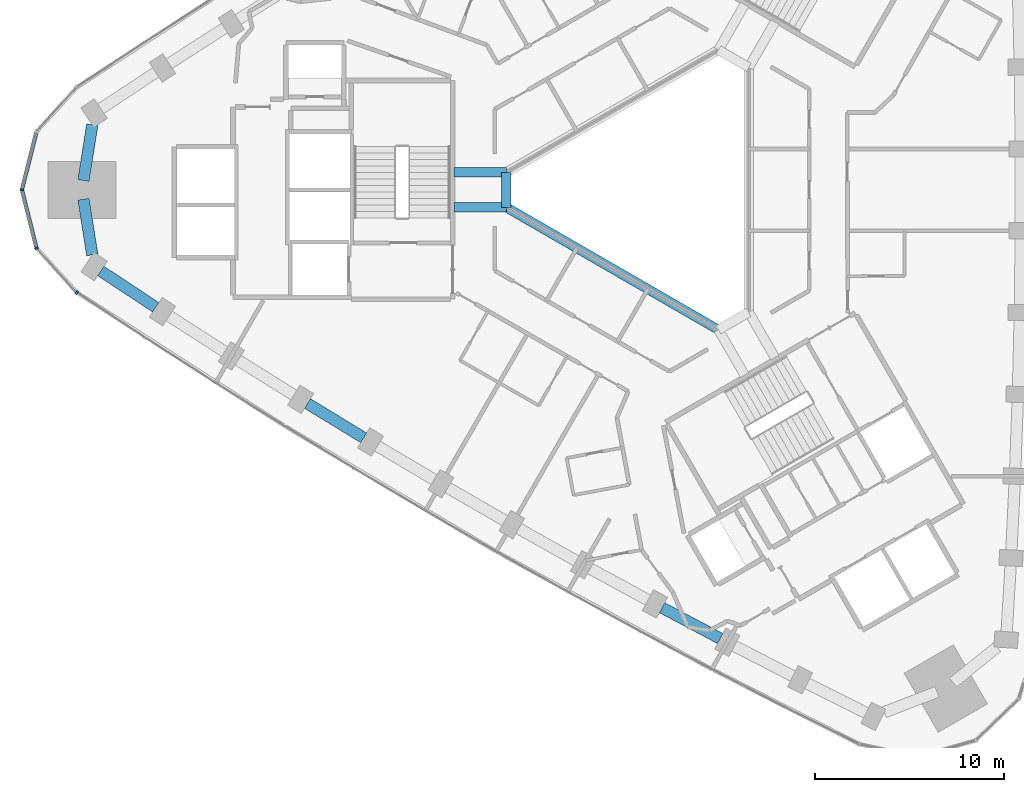
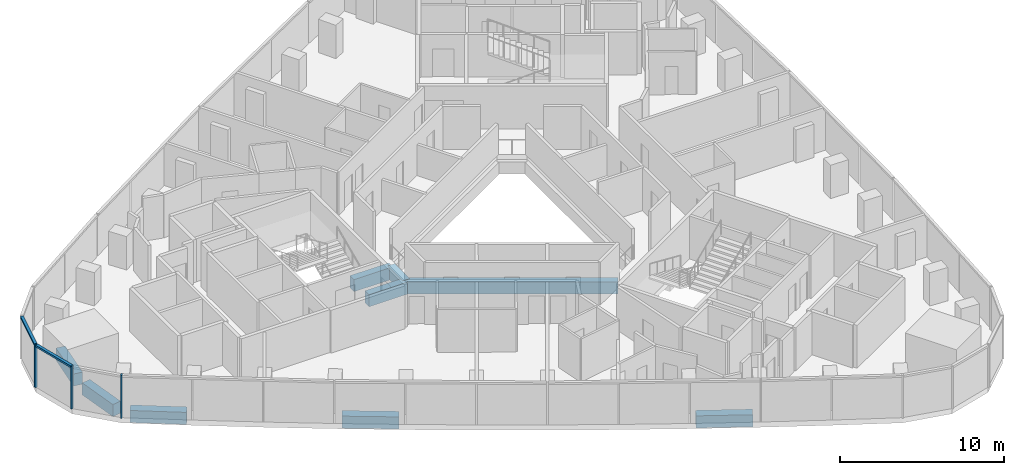
# One storey, part 2 of 13: 9 beams, 5 members, 2 elements without a shape of their own.
"""IFC4 building model written with IfcOpenShell, lengths in metres."""

import ifcopenshell
import ifcopenshell.guid

model = None  # the IFC model being written
_history = None  # IfcOwnerHistory: only IFC2X3 demands one
_inside = {}  # id of a spatial element -> (the spatial element, [elements in it])
_under = {}  # id of a project, library or spatial element -> (it, [spatial elements below it])
_declared = {}  # id of a project -> (the project, [libraries it declares])
_typed = {}  # id of a type object -> (the type object, [elements of that type])
_made_of = {}  # id of a material, layer set ... -> (it, [elements and type objects made of it])


def new_model(schema):
    """Start an empty IFC model of exactly this schema.

    Asked for "IFC4X3", IfcOpenShell would pick the latest addendum, in which some entities
    have other attributes; the version numbers below select the first issue.
    IFC2X3 requires an IfcOwnerHistory on every rooted entity: one is made here for all.
    """
    global model, _history
    if schema == "IFC4X3":
        model = ifcopenshell.file(schema_version=(4, 3, 0, 0))
    else:
        model = ifcopenshell.file(schema=schema)
    _inside.clear()
    _under.clear()
    _declared.clear()
    _typed.clear()
    _made_of.clear()
    _history = None
    if model.schema == "IFC2X3":
        org = make("IfcOrganization", Name="unknown")
        user = make(
            "IfcPersonAndOrganization",
            ThePerson=make("IfcPerson", FamilyName="unknown"),
            TheOrganization=org,
        )
        app = make(
            "IfcApplication",
            ApplicationDeveloper=org,
            Version="unknown",
            ApplicationFullName="unknown",
            ApplicationIdentifier="unknown",
        )
        _history = make(
            "IfcOwnerHistory",
            OwningUser=user,
            OwningApplication=app,
            ChangeAction="ADDED",
            CreationDate=0,
        )
    return model


def make(cls, **values):
    """One entity of the class cls with the attributes given. An attribute that is None is left unset."""
    return model.create_entity(
        cls, **{name: value for name, value in values.items() if value is not None}
    )


def rooted(cls, **values):
    """An entity with a GlobalId (a new one), such as an element, a storey or a relation."""
    return make(cls, GlobalId=ifcopenshell.guid.new(), OwnerHistory=_history, **values)


def si_unit(unit_type, name, prefix=None):
    """IfcSIUnit, for example si_unit("LENGTHUNIT", "METRE", prefix="MILLI")."""
    return make("IfcSIUnit", UnitType=unit_type, Prefix=prefix, Name=name)


def assignment(units):
    """IfcUnitAssignment: the units of a project."""
    return None if units is None else make("IfcUnitAssignment", Units=units)


def point(xyz):
    """IfcCartesianPoint."""
    return None if xyz is None else make("IfcCartesianPoint", Coordinates=xyz)


def direction(xyz):
    """IfcDirection."""
    return None if xyz is None else make("IfcDirection", DirectionRatios=xyz)


def frame(location, z_axis=None, x_axis=None):
    """IfcAxis2Placement3D, a coordinate frame: its origin and axes. An axis left out is left unset."""
    return make(
        "IfcAxis2Placement3D",
        Location=point(location),
        Axis=direction(z_axis),
        RefDirection=direction(x_axis),
    )


def frame_2d(location, x_axis=None):
    """IfcAxis2Placement2D, a coordinate frame in the plane: its origin and x axis."""
    return make(
        "IfcAxis2Placement2D", Location=point(location), RefDirection=direction(x_axis)
    )


def origin():
    """The frame at (0, 0, 0) with its axes left unset."""
    return frame((0.0, 0.0, 0.0))


def origin_2d():
    """The frame at (0, 0) in the plane with its x axis left unset."""
    return frame_2d((0.0, 0.0))


def place(relative_to, where):
    """IfcLocalPlacement: puts the frame where relative to a parent placement (None: the world)."""
    return make(
        "IfcLocalPlacement", PlacementRelTo=relative_to, RelativePlacement=where
    )


def context(
    kind, dimensions, precision=None, world=None, true_north=None, identifier=None
):
    """IfcGeometricRepresentationContext, for example the 3D "Model" context."""
    return make(
        "IfcGeometricRepresentationContext",
        ContextIdentifier=identifier,
        ContextType=kind,
        CoordinateSpaceDimension=dimensions,
        Precision=precision,
        WorldCoordinateSystem=world,
        TrueNorth=true_north,
    )


def subcontext(parent, identifier, kind, view, scale=None):
    """IfcGeometricRepresentationSubContext, for example "Body" below "Model"."""
    return make(
        "IfcGeometricRepresentationSubContext",
        ContextIdentifier=identifier,
        ContextType=kind,
        ParentContext=parent,
        TargetScale=scale,
        TargetView=view,
    )


def project(units=None, contexts=None):
    """IfcProject with its units and contexts."""
    return rooted(
        "IfcProject",
        Name="project",
        RepresentationContexts=contexts,
        UnitsInContext=assignment(units),
    )


def spatial(cls, under=None, at=None, **own):
    """A site, building, storey or space (cls), placed at a placement, below another one or the project."""
    s = rooted(cls, ObjectPlacement=at, **own)
    if under is not None:
        _under.setdefault(under.id(), (under, []))[1].append(s)
    return s


def profile(cls, at=None, kind="AREA", **sizes):
    """A parametric profile (cls). Its sizes go by their IFC names, for example OverallWidth=200.0."""
    return make(cls, ProfileType=kind, Position=at, **sizes)


def rectangle(**sizes):
    """IfcRectangleProfileDef."""
    return profile("IfcRectangleProfileDef", **sizes)


def extrude(swept, where, along, depth):
    """IfcExtrudedAreaSolid: the profile swept, set in the frame where, extruded along a direction by depth."""
    return make(
        "IfcExtrudedAreaSolid",
        SweptArea=swept,
        Position=where,
        ExtrudedDirection=direction(along),
        Depth=depth,
    )


def shape(context_of_items, identifier, shape_type, items):
    """IfcShapeRepresentation: the items that make up one representation, for example the "Body"."""
    return make(
        "IfcShapeRepresentation",
        ContextOfItems=context_of_items,
        RepresentationIdentifier=identifier,
        RepresentationType=shape_type,
        Items=items,
    )


def material(Name=None, Category=None):
    """IfcMaterial."""
    return make("IfcMaterial", Name=Name, Category=Category)


def material_profile(
    of_material, cross_section, Name=None, Category=None, Priority=None
):
    """IfcMaterialProfile: a cross section and its material."""
    return make(
        "IfcMaterialProfile",
        Name=Name,
        Material=of_material,
        Profile=cross_section,
        Priority=Priority,
        Category=Category,
    )


def profile_set(profiles, Name=None, composite=None):
    """IfcMaterialProfileSet."""
    return make(
        "IfcMaterialProfileSet",
        Name=Name,
        MaterialProfiles=profiles,
        CompositeProfile=composite,
    )


def made_of(thing, what):
    """Note that an element or type object is made of a material, layer set ...; save() writes the relation."""
    if what is not None:
        _made_of.setdefault(what.id(), (what, []))[1].append(thing)
    return thing


def type_object(cls, material=None, **own):
    """A type object (cls), such as IfcWallType, which elements share."""
    return made_of(rooted(cls, **own), material)


def element(
    cls,
    number,
    at=None,
    inside=None,
    cuts=None,
    type_object=None,
    material=None,
    context=None,
    identifier="Body",
    shape_type=None,
    held_by="IfcProductDefinitionShape",
    body=None,
    shapes=None,
    **own,
):
    """One element of the class cls, such as IfcWall. Its Tag is "e" and its number.

    at: its placement. inside: the storey or other place that contains it. cuts: it is an
    opening in that element (IfcRelVoidsElement). A single representation is given by context,
    identifier, shape_type and body (its items); several are given by shapes. held_by: the class
    of the entity that holds the representations. save() writes the other relations.
    """
    e = rooted(cls, Tag="e%d" % number, ObjectPlacement=at, **own)
    if body is not None:
        shapes = [shape(context, identifier, shape_type, body)]
    if shapes is not None:
        e.Representation = make(held_by, Representations=shapes)
    if inside is not None:
        _inside.setdefault(inside.id(), (inside, []))[1].append(e)
    if cuts is not None:
        rooted(
            "IfcRelVoidsElement", RelatingBuildingElement=cuts, RelatedOpeningElement=e
        )
    if type_object is not None:
        _typed.setdefault(type_object.id(), (type_object, []))[1].append(e)
    return made_of(e, material)


def aggregate(whole, parts):
    """IfcRelAggregates: a whole, such as a stair, and the parts it consists of."""
    return rooted("IfcRelAggregates", RelatingObject=whole, RelatedObjects=parts)


def save(model, path):
    """Write the relations noted so far, then the file.

    IfcRelAggregates (storeys below a building ...), IfcRelContainedInSpatialStructure (elements
    in a storey), IfcRelDefinesByType, IfcRelAssociatesMaterial and IfcRelDeclares: one each for
    every whole, place, type object, material and project.
    """
    for whole, parts in _under.values():
        aggregate(whole, parts)
    for where, things in _inside.values():
        rooted(
            "IfcRelContainedInSpatialStructure",
            RelatedElements=things,
            RelatingStructure=where,
        )
    for kind, things in _typed.values():
        rooted("IfcRelDefinesByType", RelatedObjects=things, RelatingType=kind)
    for what, things in _made_of.values():
        rooted("IfcRelAssociatesMaterial", RelatedObjects=things, RelatingMaterial=what)
    for by, libraries in _declared.values():
        rooted("IfcRelDeclares", RelatingContext=by, RelatedDefinitions=libraries)
    model.write(path)


model = new_model("IFC4")

# Units and contexts
model_context = context("Model", 3, precision=1e-05, world=origin(), true_north=direction((0.0, 1.0)))
body_context = subcontext(model_context, "Body", "Model", "MODEL_VIEW")
ifc_project = project(units=[si_unit("LENGTHUNIT", "METRE"), si_unit("AREAUNIT", "SQUARE_METRE"), si_unit("VOLUMEUNIT", "CUBIC_METRE"), si_unit("PLANEANGLEUNIT", "RADIAN"), si_unit("MASSUNIT", "GRAM", prefix="KILO")], contexts=[model_context])

# Site, building, storey
site_placement = place(None, origin())
site = spatial("IfcSite", under=ifc_project, at=site_placement, CompositionType="ELEMENT")
building_placement = place(site_placement, origin())
building = spatial("IfcBuilding", under=site, at=building_placement, Name="Tamra Quay Hotel Tower", CompositionType="ELEMENT")
storey_placement = place(building_placement, frame((0.0, 0.0, 161.199951171875)))
storey = spatial("IfcBuildingStorey", under=building, at=storey_placement, Name="L40", CompositionType="ELEMENT", Elevation=161.199951171875)

# Beams
ifc_material_1 = material(Name="Concrete M60", Category="concrete")
ifc_material_profile_1 = material_profile(ifc_material_1, rectangle(XDim=0.5, YDim=0.89990234375, at=origin_2d()), Name="ATRIUM EDGE BEAM RC 500x900")
ifc_profile_set_1 = profile_set([ifc_material_profile_1], Name="Concrete M60")
beam_type_1 = type_object("IfcBeamType", Name="ATRIUM EDGE BEAM RC 500x900", PredefinedType="BEAM", material=ifc_profile_set_1)
beam_1_placement = place(storey_placement, frame((3.199951171875, -7.39013671875, -0.849853515625), z_axis=(-0.866024942741, 0.500000798549, 0.0), x_axis=(-0.500000798549, -0.866024942741, 0.0)))
element("IfcBeam", 1, at=beam_1_placement, inside=storey, type_object=beam_type_1, Name="BM-AB2-L40", PredefinedType="BEAM", context=body_context, shape_type="SweptSolid", body=[
    extrude(rectangle(XDim=0.5, YDim=0.89990234375, at=origin_2d()), origin(), (0.0, 0.0, 1.0), 12.9326171875),
])
beam_2_placement = place(storey_placement, frame((-8.0, -0.923828125, -0.849853515625), z_axis=(0.0, 1.0, 0.0), x_axis=(-1.0, 0.0, 0.0)))
element("IfcBeam", 2, at=beam_2_placement, inside=storey, type_object=beam_type_1, Name="BM-AB3-L40", PredefinedType="BEAM", context=body_context, shape_type="SweptSolid", body=[
    extrude(rectangle(XDim=0.5, YDim=0.89990234375, at=origin_2d()), origin(), (0.0, 0.0, 1.0), 1.84765625),
])
ifc_material_profile_2 = material_profile(ifc_material_1, rectangle(XDim=0.5, YDim=0.89990234375, at=origin_2d()), Name="ATRIUM TIE BEAM RC 500x900")
ifc_profile_set_2 = profile_set([ifc_material_profile_2], Name="Concrete M60")
beam_type_2 = type_object("IfcBeamType", Name="ATRIUM TIE BEAM RC 500x900", PredefinedType="BEAM", material=ifc_profile_set_2)
for number, where, z_axis, x_axis, name in (
    (3, (-8.0, -0.923828125, -0.849853515625), (-1.0, 0.0, 0.0), (0.0, -1.0, 0.0), "BM-TIE-3-L40"),
    (4, (-8.0, 0.923828125, -0.849853515625), (-1.0, 0.0, 0.0), (0.0, -1.0, 0.0), "BM-TIE-4-L40"),
):
    element("IfcBeam", number, at=place(storey_placement, frame(where, z_axis=z_axis, x_axis=x_axis)), inside=storey, type_object=beam_type_2, Name=name, PredefinedType="BEAM", context=body_context, shape_type="SweptSolid", body=[
        extrude(rectangle(XDim=0.5, YDim=0.89990234375, at=origin_2d()), origin(), (0.0, 0.0, 1.0), 2.76220703125),
    ])

# Curtain wall, members
ifc_material_2 = material(Name="Aluminium 6063 anodised dark grey", Category="aluminium")
curtain_wall_type_1 = type_object("IfcCurtainWallType", Name="CW2 CURTAIN WALL", PredefinedType="NOTDEFINED", material=ifc_material_2)
curtain_wall_1_placement = place(storey_placement, origin())
curtain_wall_1 = element("IfcCurtainWall", 5, at=curtain_wall_1_placement, inside=storey, type_object=curtain_wall_type_1, Name="CW2 north-west face L40", PredefinedType="NOTDEFINED")
ifc_material_profile_3 = material_profile(ifc_material_2, rectangle(XDim=0.199951171875, YDim=0.10009765625, at=origin_2d()), Name="MULLION 100X200")
ifc_profile_set_3 = profile_set([ifc_material_profile_3], Name="Aluminium 6063 anodised dark grey")
member_type_1 = type_object("IfcMemberType", Name="MULLION CW2 Z3", PredefinedType="MULLION", material=ifc_profile_set_3)
member_1_placement = place(storey_placement, frame((-33.588134765625, 0.0, 0.0), z_axis=(0.0, 0.0, 1.0), x_axis=(-1.0, 0.0, 0.0)))
member_1 = element("IfcMember", 6, at=member_1_placement, type_object=member_type_1, Name="CW2 mullion L40.NW.14", PredefinedType="MULLION", context=body_context, shape_type="SweptSolid", body=[
    extrude(rectangle(XDim=0.199951171875, YDim=0.10009765625, at=origin_2d()), origin(), (0.0, 0.0, 1.0), 3.199951171875),
])
member_2_placement = place(storey_placement, frame((-32.81787109375, -3.075439453125, 0.0), z_axis=(0.0, 0.0, 1.0), x_axis=(-0.881925145425, -0.47138947577, 0.0)))
member_2 = element("IfcMember", 7, at=member_2_placement, type_object=member_type_1, Name="CW2 mullion L40.NW.15", PredefinedType="MULLION", context=body_context, shape_type="SweptSolid", body=[
    extrude(rectangle(XDim=0.199951171875, YDim=0.10009765625, at=origin_2d()), origin(), (0.0, 0.0, 1.0), 3.199951171875),
])

# Curtain wall, member
curtain_wall_type_2 = type_object("IfcCurtainWallType", Name="CW3 CURTAIN WALL", PredefinedType="NOTDEFINED", material=ifc_material_2)
curtain_wall_2_placement = place(storey_placement, origin())
curtain_wall_2 = element("IfcCurtainWall", 8, at=curtain_wall_2_placement, inside=storey, type_object=curtain_wall_type_2, Name="CW3 south-west face L40", PredefinedType="NOTDEFINED")
ifc_material_profile_4 = material_profile(ifc_material_2, rectangle(XDim=0.199951171875, YDim=0.10009765625, at=origin_2d()), Name="MULLION 100X200")
ifc_profile_set_4 = profile_set([ifc_material_profile_4], Name="Aluminium 6063 anodised dark grey")
member_type_2 = type_object("IfcMemberType", Name="MULLION CW3 Z3", PredefinedType="MULLION", material=ifc_profile_set_4)
member_3_placement = place(storey_placement, frame((-30.688720703125, -5.424560546875, 0.0), z_axis=(0.0, 0.0, 1.0), x_axis=(-0.650989312843, -0.759086895266, 0.0)))
member_3 = element("IfcMember", 9, at=member_3_placement, type_object=member_type_2, Name="CW3 mullion L40.SW.1", PredefinedType="MULLION", context=body_context, shape_type="SweptSolid", body=[
    extrude(rectangle(XDim=0.199951171875, YDim=0.10009765625, at=origin_2d()), origin(), (0.0, 0.0, 1.0), 3.199951171875),
])
aggregate(curtain_wall_2, [member_3])

# Beams
ifc_material_profile_5 = material_profile(ifc_material_1, rectangle(XDim=0.60009765625, YDim=0.89990234375, at=origin_2d()), Name="SPANDREL BEAM RC 600x900")
ifc_profile_set_5 = profile_set([ifc_material_profile_5], Name="Concrete M60")
beam_type_3 = type_object("IfcBeamType", Name="SPANDREL BEAM RC 600x900", PredefinedType="SPANDREL", material=ifc_profile_set_5)
for number, where, z_axis, x_axis, name in (
    (10, (-29.87060546875, 3.434814453125, -0.849853515625), (-0.156337236308, -0.987703735208, 0.0), (0.987703735208, -0.156337236308, 0.0), "BM-SP3-024-L40"),
    (11, (-30.336181640625, -0.493408203125, -0.849853515625), (0.156337236308, -0.987703735208, 0.0), (0.987703735208, 0.156337236308, 0.0), "BM-SP3-025-L40"),
):
    element("IfcBeam", number, at=place(storey_placement, frame(where, z_axis=z_axis, x_axis=x_axis)), inside=storey, type_object=beam_type_3, Name=name, PredefinedType="SPANDREL", context=body_context, shape_type="SweptSolid", body=[
        extrude(rectangle(XDim=0.60009765625, YDim=0.89990234375, at=origin_2d()), origin(), (0.0, 0.0, 1.0), 2.97802734375),
    ])
beam_3_placement = place(storey_placement, frame((-29.41796875, -4.28759765625, -0.849853515625), z_axis=(0.834690851507, -0.55071878705, 0.0), x_axis=(0.55071878705, 0.834690851507, 0.0)))
element("IfcBeam", 12, at=beam_3_placement, inside=storey, type_object=beam_type_3, Name="BM-SP3-026-L40", PredefinedType="SPANDREL", context=body_context, shape_type="SweptSolid", body=[
    extrude(rectangle(XDim=0.60009765625, YDim=0.89990234375, at=origin_2d()), origin(), (0.0, 0.0, 1.0), 3.472412109375),
])
beam_4_placement = place(storey_placement, frame((-18.502197265625, -11.287109375, -0.849853515625), z_axis=(0.853835813207, -0.520542413339, 0.0), x_axis=(0.520542413339, 0.853835813207, 0.0)))
element("IfcBeam", 13, at=beam_4_placement, inside=storey, type_object=beam_type_3, Name="BM-SP3-029-L40", PredefinedType="SPANDREL", context=body_context, shape_type="SweptSolid", body=[
    extrude(rectangle(XDim=0.60009765625, YDim=0.89990234375, at=origin_2d()), origin(), (0.0, 0.0, 1.0), 3.47216796875),
])
beam_5_placement = place(storey_placement, frame((0.224609375, -22.06982421875, -0.849853515625), z_axis=(0.883411391477, -0.468598243071, 0.0), x_axis=(0.468598243071, 0.883411391477, 0.0)))
element("IfcBeam", 14, at=beam_5_placement, inside=storey, type_object=beam_type_3, Name="BM-SP3-034-L40", PredefinedType="SPANDREL", context=body_context, shape_type="SweptSolid", body=[
    extrude(rectangle(XDim=0.60009765625, YDim=0.89990234375, at=origin_2d()), origin(), (0.0, 0.0, 1.0), 3.472412109375),
])

# Member
ifc_material_profile_6 = material_profile(ifc_material_2, rectangle(XDim=0.199951171875, YDim=0.139892578125, at=origin_2d()), Name="TRANSOM 200X140")
ifc_profile_set_6 = profile_set([ifc_material_profile_6], Name="Aluminium 6063 anodised dark grey")
member_type_3 = type_object("IfcMemberType", Name="TRANSOM CW2 Z3", PredefinedType="USERDEFINED", material=ifc_profile_set_6)
member_4_placement = place(storey_placement, frame((-32.830078125, 3.02685546875, 3.130126953125), z_axis=(-0.243003342732, -0.970025450914, 0.0), x_axis=(0.970025450914, -0.243003342732, 0.0)))
member_4 = element("IfcMember", 15, at=member_4_placement, type_object=member_type_3, Name="CW2 transom L40.NW.13", ObjectType="TRANSOM", PredefinedType="USERDEFINED", context=body_context, shape_type="SweptSolid", body=[
    extrude(rectangle(XDim=0.199951171875, YDim=0.139892578125, at=origin_2d()), origin(), (0.0, 0.0, 1.0), 3.0703125),
])

member_5_placement = place(storey_placement, frame((-33.576171875, -0.048583984375, 3.130126953125), z_axis=(0.243003342732, -0.970025450914, 0.0), x_axis=(0.970025450914, 0.243003342732, 0.0)))
member_5 = element("IfcMember", 16, at=member_5_placement, type_object=member_type_3, Name="CW2 transom L40.NW.14", ObjectType="TRANSOM", PredefinedType="USERDEFINED", context=body_context, shape_type="SweptSolid", body=[
    extrude(rectangle(XDim=0.199951171875, YDim=0.139892578125, at=origin_2d()), origin(), (0.0, 0.0, 1.0), 3.0703125),
])

aggregate(curtain_wall_1, [member_4, member_1, member_5, member_2])

save(model, "model.ifc")
